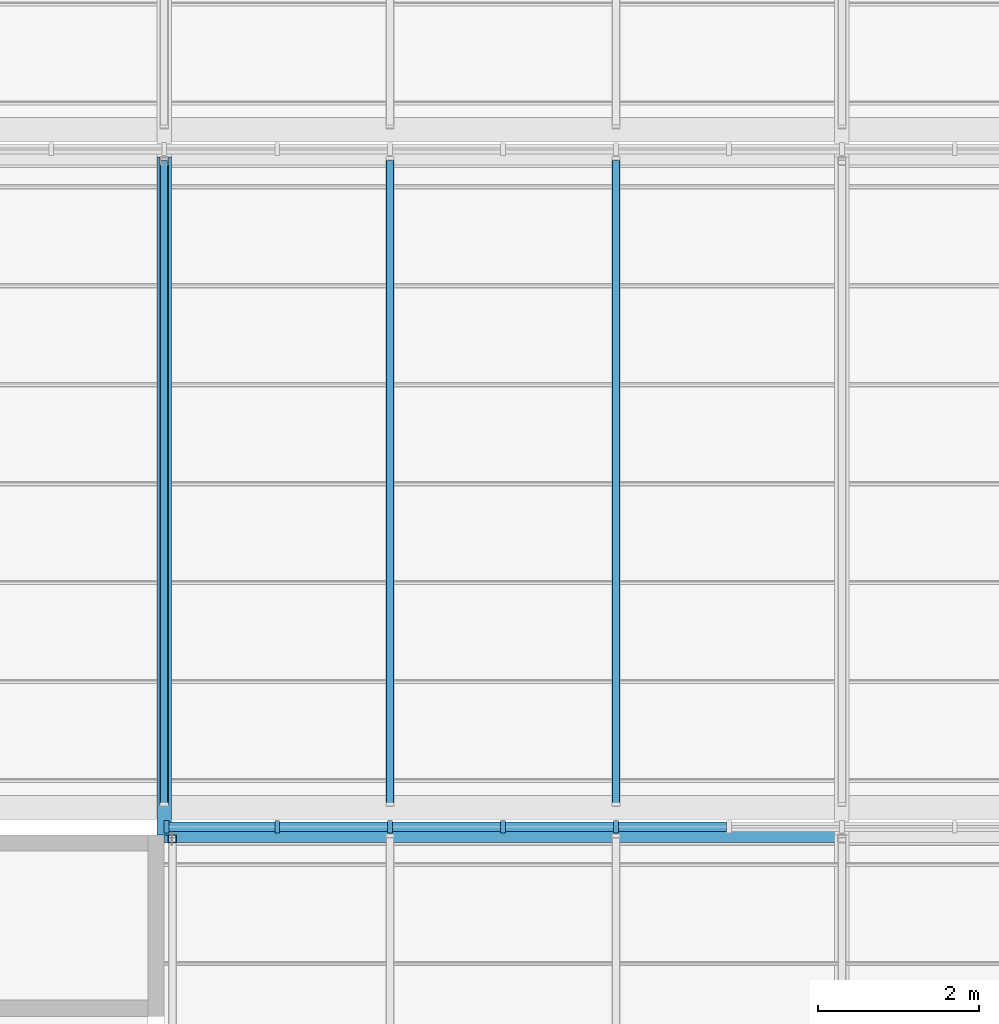
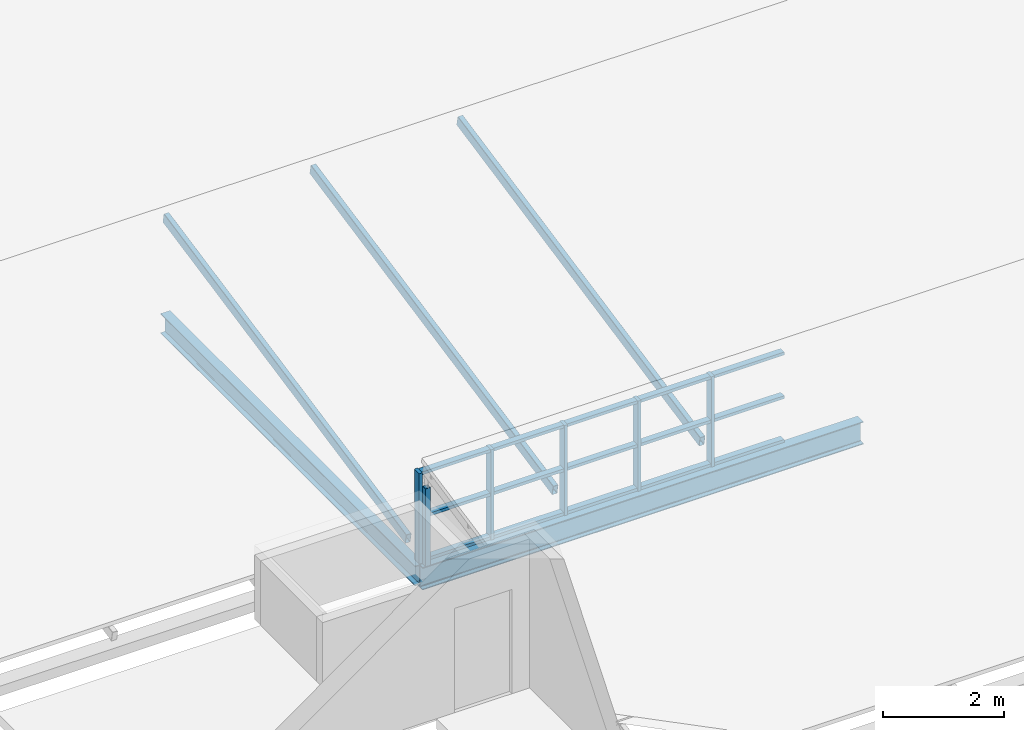
# One storey, part 8 of 121: 24 members, 2 beams, 1 element without a shape of its own.
"""IFC4 building model written with IfcOpenShell, lengths in metres."""

from ifc_helpers import new_model, si_unit, direction, frame, origin, origin_2d, place, context, subcontext, project, spatial, rectangle, hollow_rectangle, i_section, extrude, material, layer, layer_set, material_profile, profile_set, type_object, element, aggregate, save


model = new_model("IFC4")

# Units and contexts
model_context = context("Model", 3, precision=1e-05, world=origin(), true_north=direction((0.0, 1.0)))
body_context = subcontext(model_context, "Body", "Model", "MODEL_VIEW")
ifc_project = project(units=[si_unit("LENGTHUNIT", "METRE"), si_unit("AREAUNIT", "SQUARE_METRE"), si_unit("VOLUMEUNIT", "CUBIC_METRE"), si_unit("PLANEANGLEUNIT", "RADIAN"), si_unit("MASSUNIT", "GRAM", prefix="KILO")], contexts=[model_context])

# Site, building, storey
site_placement = place(None, origin())
site = spatial("IfcSite", under=ifc_project, at=site_placement, CompositionType="ELEMENT")
building_placement = place(site_placement, origin())
building = spatial("IfcBuilding", under=site, at=building_placement, Name="Ardhachandra Cancer Care Centre", CompositionType="ELEMENT")
storey_placement = place(building_placement, frame((0.0, 0.0, 9.0)))
storey = spatial("IfcBuildingStorey", under=building, at=storey_placement, Name="L02", CompositionType="ELEMENT", Elevation=9.0)

# Beams
ifc_material_1 = material(Name="Steel E350 (IS 2062)", Category="steel")
ifc_material_profile_1 = material_profile(ifc_material_1, i_section(OverallWidth=0.179931640625, OverallDepth=0.39990234375, WebThickness=0.008544921875, FlangeThickness=0.013427734375, FilletRadius=0.02099609375, at=origin_2d()), Name="NPB 400x180x66.30")
ifc_profile_set_1 = profile_set([ifc_material_profile_1], Name="Steel E350 (IS 2062)")
beam_type_1 = type_object("IfcBeamType", Name="Beam NPB 400x180x66.30", PredefinedType="BEAM", material=ifc_profile_set_1)
beam_1_placement = place(storey_placement, frame((19.199951171875, 37.800048828125, -0.199951171875), z_axis=(0.0, 1.0, 0.0), x_axis=(-1.0, 0.0, 0.0)))
element("IfcBeam", 1, at=beam_1_placement, inside=storey, type_object=beam_type_1, Name="Roof girder D2-E2", PredefinedType="BEAM", context=body_context, shape_type="SweptSolid", body=[
    extrude(i_section(OverallWidth=0.179931640625, OverallDepth=0.39990234375, WebThickness=0.008544921875, FlangeThickness=0.013427734375, FilletRadius=0.02099609375, at=origin_2d()), origin(), (0.0, 0.0, 1.0), 8.39990234375),
])
ifc_material_2 = material(Name="Steel E350 (IS 2062)", Category="steel")
ifc_material_profile_2 = material_profile(ifc_material_2, i_section(OverallWidth=0.19189453125, OverallDepth=0.4560546875, WebThickness=0.010986328125, FlangeThickness=0.017578125, FilletRadius=0.02099609375, at=origin_2d()), Name="NPB 450x190x92.36")
ifc_profile_set_2 = profile_set([ifc_material_profile_2], Name="Steel E350 (IS 2062)")
beam_type_2 = type_object("IfcBeamType", Name="Beam NPB 450x190x92.36", PredefinedType="BEAM", material=ifc_profile_set_2)
beam_2_placement = place(storey_placement, frame((19.199951171875, 37.800048828125, -0.22802734375), z_axis=(1.0, 0.0, 0.0), x_axis=(0.0, 1.0, 0.0)))
element("IfcBeam", 2, at=beam_2_placement, inside=storey, type_object=beam_type_2, Name="Roof girder D2-D3", PredefinedType="BEAM", context=body_context, shape_type="SweptSolid", body=[
    extrude(i_section(OverallWidth=0.19189453125, OverallDepth=0.4560546875, WebThickness=0.010986328125, FlangeThickness=0.017578125, FilletRadius=0.02099609375, at=origin_2d()), origin(), (0.0, 0.0, 1.0), 8.400146484375),
])

# Curtain wall, members
ifc_material_3 = material(Name="Aluminium extrusion", Category="aluminium")
ifc_layer = layer(ifc_material_3, 0.14990234375)
ifc_layer_set = layer_set([ifc_layer], Name="Aluminium extrusion")
curtain_wall_type = type_object("IfcCurtainWallType", Name="Curtain wall run", PredefinedType="NOTDEFINED", material=ifc_layer_set)
curtain_wall_placement = place(storey_placement, origin())
curtain_wall = element("IfcCurtainWall", 3, at=curtain_wall_placement, inside=storey, type_object=curtain_wall_type, Name="Curtain wall L02 n/0019200_0037900", PredefinedType="NOTDEFINED")
ifc_material_4 = material(Name="Aluminium extrusion", Category="aluminium")
ifc_material_profile_3 = material_profile(ifc_material_4, rectangle(XDim=0.159912109375, YDim=0.06005859375, at=origin_2d()), Name="Curtain wall mullion 60 x 160")
ifc_profile_set_3 = profile_set([ifc_material_profile_3], Name="Aluminium extrusion")
member_type_1 = type_object("IfcMemberType", Name="Curtain wall mullion 60 x 160", PredefinedType="MULLION", material=ifc_profile_set_3)
member_1_placement = place(storey_placement, frame((19.22998046875, 37.89990234375, 0.0), z_axis=(0.0, 0.0, 1.0), x_axis=(0.0, 1.0, 0.0)))
member_1 = element("IfcMember", 4, at=member_1_placement, type_object=member_type_1, Name="CW mullion 1", PredefinedType="MULLION", context=body_context, shape_type="SweptSolid", body=[
    extrude(rectangle(XDim=0.159912109375, YDim=0.06005859375, at=origin_2d()), origin(), (0.0, 0.0, 1.0), 1.820068359375),
])
member_2_placement = place(storey_placement, frame((20.60009765625, 37.89990234375, 0.0), z_axis=(0.0, 0.0, 1.0), x_axis=(0.0, 1.0, 0.0)))
member_2 = element("IfcMember", 5, at=member_2_placement, type_object=member_type_1, Name="CW mullion 2", PredefinedType="MULLION", context=body_context, shape_type="SweptSolid", body=[
    extrude(rectangle(XDim=0.159912109375, YDim=0.06005859375, at=origin_2d()), origin(), (0.0, 0.0, 1.0), 1.820068359375),
])
member_3_placement = place(storey_placement, frame((22.0, 37.89990234375, 0.0), z_axis=(0.0, 0.0, 1.0), x_axis=(0.0, 1.0, 0.0)))
member_3 = element("IfcMember", 6, at=member_3_placement, type_object=member_type_1, Name="CW mullion 3", PredefinedType="MULLION", context=body_context, shape_type="SweptSolid", body=[
    extrude(rectangle(XDim=0.159912109375, YDim=0.06005859375, at=origin_2d()), origin(), (0.0, 0.0, 1.0), 1.820068359375),
])
member_4_placement = place(storey_placement, frame((23.39990234375, 37.89990234375, 0.0), z_axis=(0.0, 0.0, 1.0), x_axis=(0.0, 1.0, 0.0)))
member_4 = element("IfcMember", 7, at=member_4_placement, type_object=member_type_1, Name="CW mullion 4", PredefinedType="MULLION", context=body_context, shape_type="SweptSolid", body=[
    extrude(rectangle(XDim=0.159912109375, YDim=0.06005859375, at=origin_2d()), origin(), (0.0, 0.0, 1.0), 1.820068359375),
])
member_5_placement = place(storey_placement, frame((24.800048828125, 37.89990234375, 0.0), z_axis=(0.0, 0.0, 1.0), x_axis=(0.0, 1.0, 0.0)))
member_5 = element("IfcMember", 8, at=member_5_placement, type_object=member_type_1, Name="CW mullion 5", PredefinedType="MULLION", context=body_context, shape_type="SweptSolid", body=[
    extrude(rectangle(XDim=0.159912109375, YDim=0.06005859375, at=origin_2d()), origin(), (0.0, 0.0, 1.0), 1.820068359375),
])
ifc_material_5 = material(Name="Aluminium extrusion", Category="aluminium")
ifc_material_profile_4 = material_profile(ifc_material_5, rectangle(XDim=0.1201171875, YDim=0.06005859375, at=origin_2d()), Name="Curtain wall transom 60 x 120")
ifc_profile_set_4 = profile_set([ifc_material_profile_4], Name="Aluminium extrusion")
member_type_2 = type_object("IfcMemberType", Name="Curtain wall transom 60 x 120", PredefinedType="USERDEFINED", material=ifc_profile_set_4)
member_6_placement = place(storey_placement, frame((19.260009765625, 37.89990234375, 0.030029296875), z_axis=(1.0, 0.0, 0.0), x_axis=(0.0, 1.0, 0.0)))
member_6 = element("IfcMember", 9, at=member_6_placement, type_object=member_type_2, Name="CW transom 1.1", ObjectType="TRANSOM", PredefinedType="USERDEFINED", context=body_context, shape_type="SweptSolid", body=[
    extrude(rectangle(XDim=0.1201171875, YDim=0.06005859375, at=origin_2d()), origin(), (0.0, 0.0, 1.0), 1.31005859375),
])
member_7_placement = place(storey_placement, frame((19.260009765625, 37.89990234375, 0.909912109375), z_axis=(1.0, 0.0, 0.0), x_axis=(0.0, 1.0, 0.0)))
member_7 = element("IfcMember", 10, at=member_7_placement, type_object=member_type_2, Name="CW transom 1.2", ObjectType="TRANSOM", PredefinedType="USERDEFINED", context=body_context, shape_type="SweptSolid", body=[
    extrude(rectangle(XDim=0.1201171875, YDim=0.06005859375, at=origin_2d()), origin(), (0.0, 0.0, 1.0), 1.31005859375),
])
member_8_placement = place(storey_placement, frame((19.260009765625, 37.89990234375, 1.7900390625), z_axis=(1.0, 0.0, 0.0), x_axis=(0.0, 1.0, 0.0)))
member_8 = element("IfcMember", 11, at=member_8_placement, type_object=member_type_2, Name="CW transom 1.3", ObjectType="TRANSOM", PredefinedType="USERDEFINED", context=body_context, shape_type="SweptSolid", body=[
    extrude(rectangle(XDim=0.1201171875, YDim=0.06005859375, at=origin_2d()), origin(), (0.0, 0.0, 1.0), 1.31005859375),
])
member_9_placement = place(storey_placement, frame((20.6298828125, 37.89990234375, 0.030029296875), z_axis=(1.0, 0.0, 0.0), x_axis=(0.0, 1.0, 0.0)))
member_9 = element("IfcMember", 12, at=member_9_placement, type_object=member_type_2, Name="CW transom 2.1", ObjectType="TRANSOM", PredefinedType="USERDEFINED", context=body_context, shape_type="SweptSolid", body=[
    extrude(rectangle(XDim=0.1201171875, YDim=0.06005859375, at=origin_2d()), origin(), (0.0, 0.0, 1.0), 1.340087890625),
])
member_10_placement = place(storey_placement, frame((20.6298828125, 37.89990234375, 0.909912109375), z_axis=(1.0, 0.0, 0.0), x_axis=(0.0, 1.0, 0.0)))
member_10 = element("IfcMember", 13, at=member_10_placement, type_object=member_type_2, Name="CW transom 2.2", ObjectType="TRANSOM", PredefinedType="USERDEFINED", context=body_context, shape_type="SweptSolid", body=[
    extrude(rectangle(XDim=0.1201171875, YDim=0.06005859375, at=origin_2d()), origin(), (0.0, 0.0, 1.0), 1.340087890625),
])
member_11_placement = place(storey_placement, frame((20.6298828125, 37.89990234375, 1.7900390625), z_axis=(1.0, 0.0, 0.0), x_axis=(0.0, 1.0, 0.0)))
member_11 = element("IfcMember", 14, at=member_11_placement, type_object=member_type_2, Name="CW transom 2.3", ObjectType="TRANSOM", PredefinedType="USERDEFINED", context=body_context, shape_type="SweptSolid", body=[
    extrude(rectangle(XDim=0.1201171875, YDim=0.06005859375, at=origin_2d()), origin(), (0.0, 0.0, 1.0), 1.340087890625),
])
member_12_placement = place(storey_placement, frame((22.030029296875, 37.89990234375, 0.030029296875), z_axis=(1.0, 0.0, 0.0), x_axis=(0.0, 1.0, 0.0)))
member_12 = element("IfcMember", 15, at=member_12_placement, type_object=member_type_2, Name="CW transom 3.1", ObjectType="TRANSOM", PredefinedType="USERDEFINED", context=body_context, shape_type="SweptSolid", body=[
    extrude(rectangle(XDim=0.1201171875, YDim=0.06005859375, at=origin_2d()), origin(), (0.0, 0.0, 1.0), 1.340087890625),
])
member_13_placement = place(storey_placement, frame((22.030029296875, 37.89990234375, 0.909912109375), z_axis=(1.0, 0.0, 0.0), x_axis=(0.0, 1.0, 0.0)))
member_13 = element("IfcMember", 16, at=member_13_placement, type_object=member_type_2, Name="CW transom 3.2", ObjectType="TRANSOM", PredefinedType="USERDEFINED", context=body_context, shape_type="SweptSolid", body=[
    extrude(rectangle(XDim=0.1201171875, YDim=0.06005859375, at=origin_2d()), origin(), (0.0, 0.0, 1.0), 1.340087890625),
])
member_14_placement = place(storey_placement, frame((22.030029296875, 37.89990234375, 1.7900390625), z_axis=(1.0, 0.0, 0.0), x_axis=(0.0, 1.0, 0.0)))
member_14 = element("IfcMember", 17, at=member_14_placement, type_object=member_type_2, Name="CW transom 3.3", ObjectType="TRANSOM", PredefinedType="USERDEFINED", context=body_context, shape_type="SweptSolid", body=[
    extrude(rectangle(XDim=0.1201171875, YDim=0.06005859375, at=origin_2d()), origin(), (0.0, 0.0, 1.0), 1.340087890625),
])
member_15_placement = place(storey_placement, frame((23.429931640625, 37.89990234375, 0.030029296875), z_axis=(1.0, 0.0, 0.0), x_axis=(0.0, 1.0, 0.0)))
member_15 = element("IfcMember", 18, at=member_15_placement, type_object=member_type_2, Name="CW transom 4.1", ObjectType="TRANSOM", PredefinedType="USERDEFINED", context=body_context, shape_type="SweptSolid", body=[
    extrude(rectangle(XDim=0.1201171875, YDim=0.06005859375, at=origin_2d()), origin(), (0.0, 0.0, 1.0), 1.340087890625),
])
member_16_placement = place(storey_placement, frame((23.429931640625, 37.89990234375, 0.909912109375), z_axis=(1.0, 0.0, 0.0), x_axis=(0.0, 1.0, 0.0)))
member_16 = element("IfcMember", 19, at=member_16_placement, type_object=member_type_2, Name="CW transom 4.2", ObjectType="TRANSOM", PredefinedType="USERDEFINED", context=body_context, shape_type="SweptSolid", body=[
    extrude(rectangle(XDim=0.1201171875, YDim=0.06005859375, at=origin_2d()), origin(), (0.0, 0.0, 1.0), 1.340087890625),
])
member_17_placement = place(storey_placement, frame((23.429931640625, 37.89990234375, 1.7900390625), z_axis=(1.0, 0.0, 0.0), x_axis=(0.0, 1.0, 0.0)))
member_17 = element("IfcMember", 20, at=member_17_placement, type_object=member_type_2, Name="CW transom 4.3", ObjectType="TRANSOM", PredefinedType="USERDEFINED", context=body_context, shape_type="SweptSolid", body=[
    extrude(rectangle(XDim=0.1201171875, YDim=0.06005859375, at=origin_2d()), origin(), (0.0, 0.0, 1.0), 1.340087890625),
])
member_18_placement = place(storey_placement, frame((24.830078125, 37.89990234375, 0.030029296875), z_axis=(1.0, 0.0, 0.0), x_axis=(0.0, 1.0, 0.0)))
member_18 = element("IfcMember", 21, at=member_18_placement, type_object=member_type_2, Name="CW transom 5.1", ObjectType="TRANSOM", PredefinedType="USERDEFINED", context=body_context, shape_type="SweptSolid", body=[
    extrude(rectangle(XDim=0.1201171875, YDim=0.06005859375, at=origin_2d()), origin(), (0.0, 0.0, 1.0), 1.33984375),
])
member_19_placement = place(storey_placement, frame((24.830078125, 37.89990234375, 0.909912109375), z_axis=(1.0, 0.0, 0.0), x_axis=(0.0, 1.0, 0.0)))
member_19 = element("IfcMember", 22, at=member_19_placement, type_object=member_type_2, Name="CW transom 5.2", ObjectType="TRANSOM", PredefinedType="USERDEFINED", context=body_context, shape_type="SweptSolid", body=[
    extrude(rectangle(XDim=0.1201171875, YDim=0.06005859375, at=origin_2d()), origin(), (0.0, 0.0, 1.0), 1.33984375),
])
member_20_placement = place(storey_placement, frame((24.830078125, 37.89990234375, 1.7900390625), z_axis=(1.0, 0.0, 0.0), x_axis=(0.0, 1.0, 0.0)))
member_20 = element("IfcMember", 23, at=member_20_placement, type_object=member_type_2, Name="CW transom 5.3", ObjectType="TRANSOM", PredefinedType="USERDEFINED", context=body_context, shape_type="SweptSolid", body=[
    extrude(rectangle(XDim=0.1201171875, YDim=0.06005859375, at=origin_2d()), origin(), (0.0, 0.0, 1.0), 1.33984375),
])
aggregate(curtain_wall, [member_1, member_2, member_3, member_4, member_5, member_6, member_7, member_8, member_9, member_10, member_11, member_12, member_13, member_14, member_15, member_16, member_17, member_18, member_19, member_20])

# Members
ifc_material_6 = material(Name="Steel E350 (IS 2062)", Category="steel")
ifc_material_profile_5 = material_profile(ifc_material_6, hollow_rectangle(XDim=0.10009765625, YDim=0.199951171875, WallThickness=0.006103515625, InnerFilletRadius=0.006103515625, OuterFilletRadius=0.011962890625, at=origin_2d()), Name="RHS 200x100x6.0")
ifc_profile_set_5 = profile_set([ifc_material_profile_5], Name="Steel E350 (IS 2062)")
member_type_3 = type_object("IfcMemberType", Name="Roof rafter RHS 200x100x6.0", PredefinedType="RAFTER", material=ifc_profile_set_5)
for number, where, z_axis, x_axis, name in (
    (24, (19.199951171875, 38.18017578125, 0.298095703125), (0.0, 0.980109665583, 0.198456653782), (-1.0, 0.0, 0.0), "Rafter T2a.4"),
    (25, (22.0, 38.18017578125, 0.298095703125), (0.0, 0.980109665583, 0.198456653782), (-1.0, 0.0, 0.0), "Rafter T2a.5"),
    (26, (24.800048828125, 38.18017578125, 0.298095703125), (0.0, 0.980109665583, 0.198456653782), (-1.0, 0.0, 0.0), "Rafter T2a.6"),
):
    element("IfcMember", number, at=place(storey_placement, frame(where, z_axis=z_axis, x_axis=x_axis)), inside=storey, type_object=member_type_3, Name=name, PredefinedType="RAFTER", context=body_context, shape_type="SweptSolid", body=[
        extrude(hollow_rectangle(XDim=0.10009765625, YDim=0.199951171875, WallThickness=0.006103515625, InnerFilletRadius=0.006103515625, OuterFilletRadius=0.011962890625, at=origin_2d()), origin(), (0.0, 0.0, 1.0), 8.162353515625),
    ])
ifc_material_7 = material(Name="Steel E350 (IS 2062)", Category="steel")
ifc_material_profile_6 = material_profile(ifc_material_7, hollow_rectangle(XDim=0.10009765625, YDim=0.10009765625, WallThickness=0.0048828125, InnerFilletRadius=0.0048828125, OuterFilletRadius=0.010009765625, at=origin_2d()), Name="SHS 100x100x5.0")
ifc_profile_set_6 = profile_set([ifc_material_profile_6], Name="Steel E350 (IS 2062)")
member_type_4 = type_object("IfcMemberType", Name="Sawtooth ridge post SHS 100x100x5.0", PredefinedType="POST", material=ifc_profile_set_6)
member_21_placement = place(storey_placement, frame((19.300048828125, 37.75, 0.0), z_axis=(0.0, 0.0, 1.0), x_axis=(1.0, 0.0, 0.0)))
element("IfcMember", 27, at=member_21_placement, inside=storey, type_object=member_type_4, Name="Ridge post T1a.1", PredefinedType="POST", context=body_context, shape_type="SweptSolid", body=[
    extrude(hollow_rectangle(XDim=0.10009765625, YDim=0.10009765625, WallThickness=0.0048828125, InnerFilletRadius=0.0048828125, OuterFilletRadius=0.010009765625, at=origin_2d()), origin(), (0.0, 0.0, 1.0), 1.5673828125),
])

save(model, "model.ifc")
